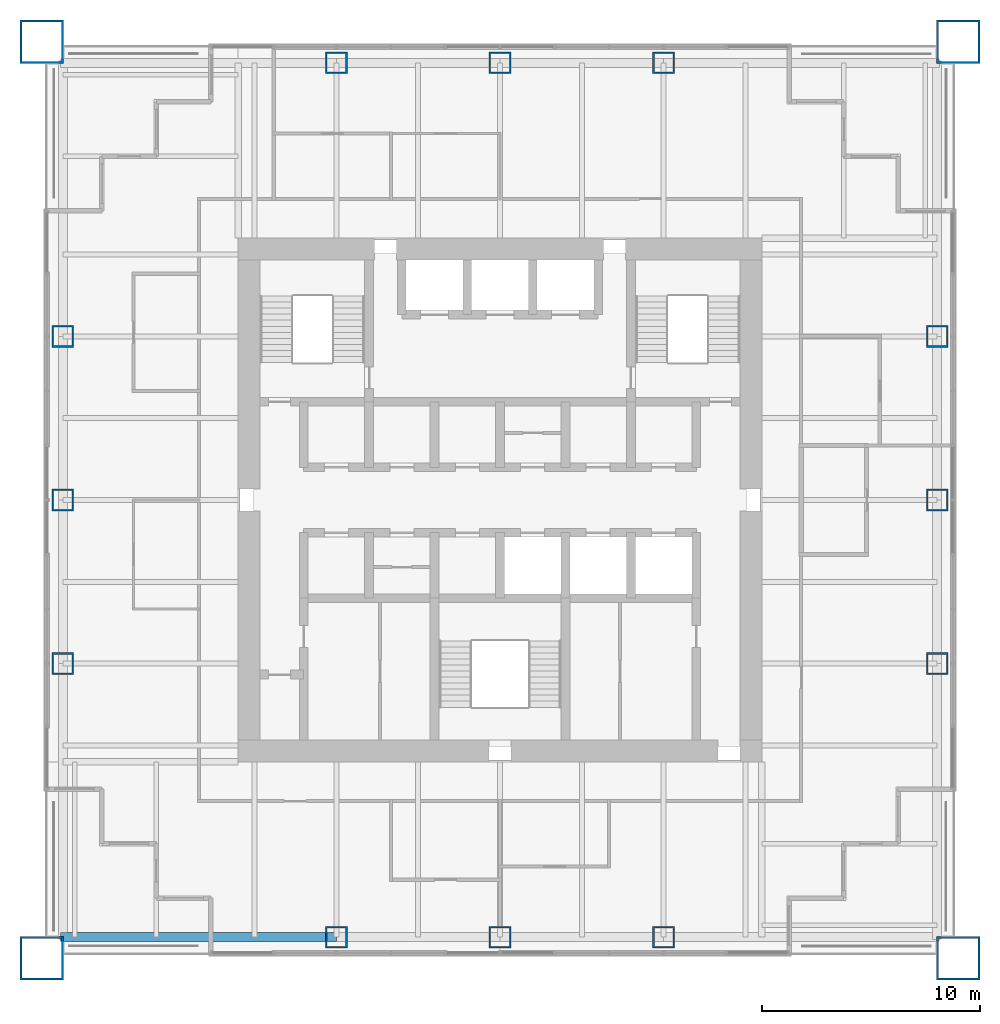
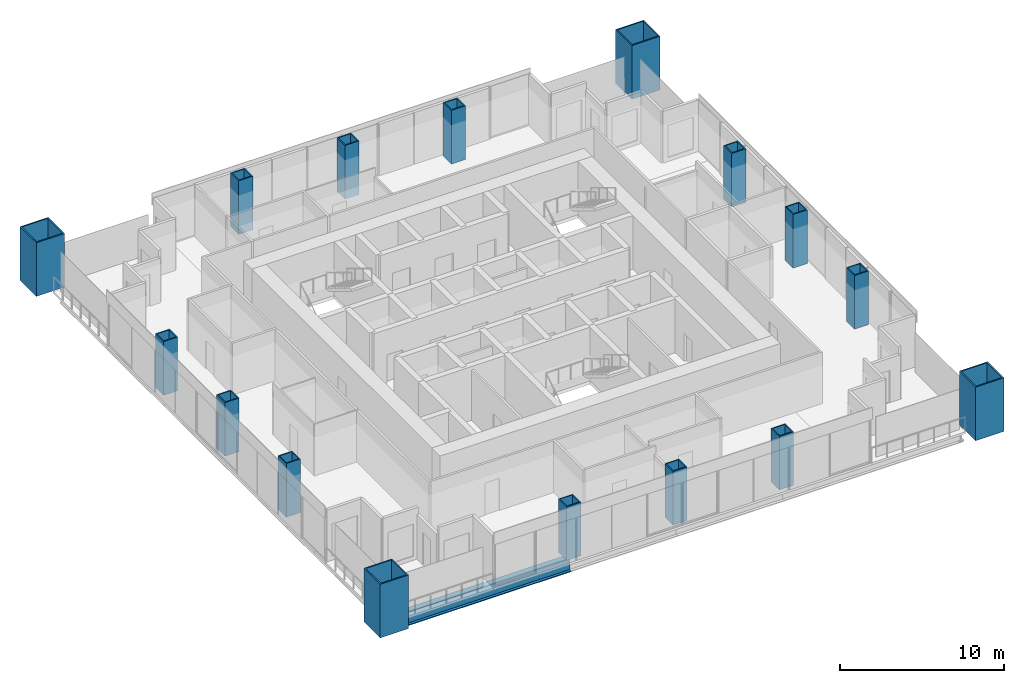
# One storey, part 1 of 14: 16 columns, 1 beam.
"""IFC4 building model written with IfcOpenShell, lengths in metres."""

from ifc_helpers import new_model, si_unit, direction, frame, origin, origin_2d, place, context, subcontext, project, spatial, hollow_rectangle, i_section, extrude, material, material_profile, profile_set, type_object, element, save


model = new_model("IFC4")

# Units and contexts
model_context = context("Model", 3, precision=1e-05, world=origin(), true_north=direction((0.0, 1.0)))
body_context = subcontext(model_context, "Body", "Model", "MODEL_VIEW")
ifc_project = project(units=[si_unit("LENGTHUNIT", "METRE"), si_unit("AREAUNIT", "SQUARE_METRE"), si_unit("VOLUMEUNIT", "CUBIC_METRE"), si_unit("PLANEANGLEUNIT", "RADIAN"), si_unit("MASSUNIT", "GRAM", prefix="KILO")], contexts=[model_context])

# Site, building, storey
site_placement = place(None, origin())
site = spatial("IfcSite", under=ifc_project, at=site_placement, CompositionType="ELEMENT")
building_placement = place(site_placement, origin())
building = spatial("IfcBuilding", under=site, at=building_placement, Name="Tarangal Relay Tower", CompositionType="ELEMENT")
storey_placement = place(building_placement, frame((0.0, 0.0, 271.89990234375)))
storey = spatial("IfcBuildingStorey", under=building, at=storey_placement, Name="L59", CompositionType="ELEMENT", Elevation=271.89990234375)

# Columns
ifc_material_1 = material(Name="Steel ASTM A572 Grade 50", Category="steel")
ifc_material_profile_1 = material_profile(ifc_material_1, hollow_rectangle(XDim=2.0, YDim=2.0, WallThickness=0.094970703125, at=origin_2d()), Name="BOX2000X2000X95")
ifc_profile_set_1 = profile_set([ifc_material_profile_1], Name="Steel ASTM A572 Grade 50")
column_type_1 = type_object("IfcColumnType", Name="Mega column BOX2000X2000X95", PredefinedType="COLUMN", material=ifc_profile_set_1)
for number, where, z_axis, x_axis, name in (
    (1, (21.0, 21.0, 0.0), (0.0, 0.0, 1.0), (1.0, 0.0, 0.0), "Mega column MC4 NE L59"),
    (2, (21.0, -21.0, 0.0), (0.0, 0.0, 1.0), (1.0, 0.0, 0.0), "Mega column MC4 SE L59"),
    (3, (-21.0, -21.0, 0.0), (0.0, 0.0, 1.0), (1.0, 0.0, 0.0), "Mega column MC4 SW L59"),
    (4, (-21.0, 21.0, 0.0), (0.0, 0.0, 1.0), (1.0, 0.0, 0.0), "Mega column MC4 NW L59"),
):
    element("IfcColumn", number, at=place(storey_placement, frame(where, z_axis=z_axis, x_axis=x_axis)), inside=storey, type_object=column_type_1, Name=name, PredefinedType="COLUMN", context=body_context, shape_type="SweptSolid", body=[
        extrude(hollow_rectangle(XDim=2.0, YDim=2.0, WallThickness=0.094970703125, at=origin_2d()), origin(), (0.0, 0.0, 1.0), 4.0),
    ])
ifc_material_profile_2 = material_profile(ifc_material_1, hollow_rectangle(XDim=1.0, YDim=1.0, WallThickness=0.074951171875, at=origin_2d()), Name="BOX1000X1000X75")
ifc_profile_set_2 = profile_set([ifc_material_profile_2], Name="Steel ASTM A572 Grade 50")
column_type_2 = type_object("IfcColumnType", Name="Perimeter column BOX1000X1000X75", PredefinedType="COLUMN", material=ifc_profile_set_2)
for number, where, z_axis, x_axis, name in (
    (5, (-7.5, 20.0400390625, 0.0), (0.0, 0.0, 1.0), (1.0, 0.0, 0.0), "Perimeter column PC5 N L59"),
    (6, (0.0, 20.0400390625, 0.0), (0.0, 0.0, 1.0), (1.0, 0.0, 0.0), "Perimeter column PC5 N L59"),
    (7, (7.5, 20.0400390625, 0.0), (0.0, 0.0, 1.0), (1.0, 0.0, 0.0), "Perimeter column PC5 N L59"),
    (8, (20.0400390625, 7.5, 0.0), (0.0, 0.0, 1.0), (1.0, 0.0, 0.0), "Perimeter column PC5 E L59"),
    (9, (20.0400390625, 0.0, 0.0), (0.0, 0.0, 1.0), (1.0, 0.0, 0.0), "Perimeter column PC5 E L59"),
    (10, (20.0400390625, -7.5, 0.0), (0.0, 0.0, 1.0), (1.0, 0.0, 0.0), "Perimeter column PC5 E L59"),
    (11, (7.5, -20.0400390625, 0.0), (0.0, 0.0, 1.0), (1.0, 0.0, 0.0), "Perimeter column PC5 S L59"),
    (12, (0.0, -20.0400390625, 0.0), (0.0, 0.0, 1.0), (1.0, 0.0, 0.0), "Perimeter column PC5 S L59"),
    (13, (-7.5, -20.0400390625, 0.0), (0.0, 0.0, 1.0), (1.0, 0.0, 0.0), "Perimeter column PC5 S L59"),
    (14, (-20.0400390625, -7.5, 0.0), (0.0, 0.0, 1.0), (1.0, 0.0, 0.0), "Perimeter column PC5 W L59"),
    (15, (-20.0400390625, 0.0, 0.0), (0.0, 0.0, 1.0), (1.0, 0.0, 0.0), "Perimeter column PC5 W L59"),
    (16, (-20.0400390625, 7.5, 0.0), (0.0, 0.0, 1.0), (1.0, 0.0, 0.0), "Perimeter column PC5 W L59"),
):
    element("IfcColumn", number, at=place(storey_placement, frame(where, z_axis=z_axis, x_axis=x_axis)), inside=storey, type_object=column_type_2, Name=name, PredefinedType="COLUMN", context=body_context, shape_type="SweptSolid", body=[
        extrude(hollow_rectangle(XDim=1.0, YDim=1.0, WallThickness=0.074951171875, at=origin_2d()), origin(), (0.0, 0.0, 1.0), 4.0),
    ])

# Beam
ifc_material_2 = material(Name="Steel ASTM A992", Category="steel")
ifc_material_profile_3 = material_profile(ifc_material_2, i_section(OverallWidth=0.41162109375, OverallDepth=1.049072265625, WebThickness=0.033935546875, FlangeThickness=0.059814453125, at=origin_2d()), Name="W40X431")
ifc_profile_set_3 = profile_set([ifc_material_profile_3], Name="Steel ASTM A992")
beam_type = type_object("IfcBeamType", Name="Edge girder W40X431", PredefinedType="SPANDREL", material=ifc_profile_set_3)
beam_placement = place(storey_placement, frame((-7.5, -20.0400390625, -0.67431640625), z_axis=(-1.0, 0.0, 0.0), x_axis=(0.0, -1.0, 0.0)))
element("IfcBeam", 17, at=beam_placement, inside=storey, type_object=beam_type, Name="Edge girder EG1 S L59", PredefinedType="SPANDREL", context=body_context, shape_type="SweptSolid", body=[
    extrude(i_section(OverallWidth=0.41162109375, OverallDepth=1.049072265625, WebThickness=0.033935546875, FlangeThickness=0.059814453125, at=origin_2d()), origin(), (0.0, 0.0, 1.0), 12.64990234375),
])

save(model, "model.ifc")
